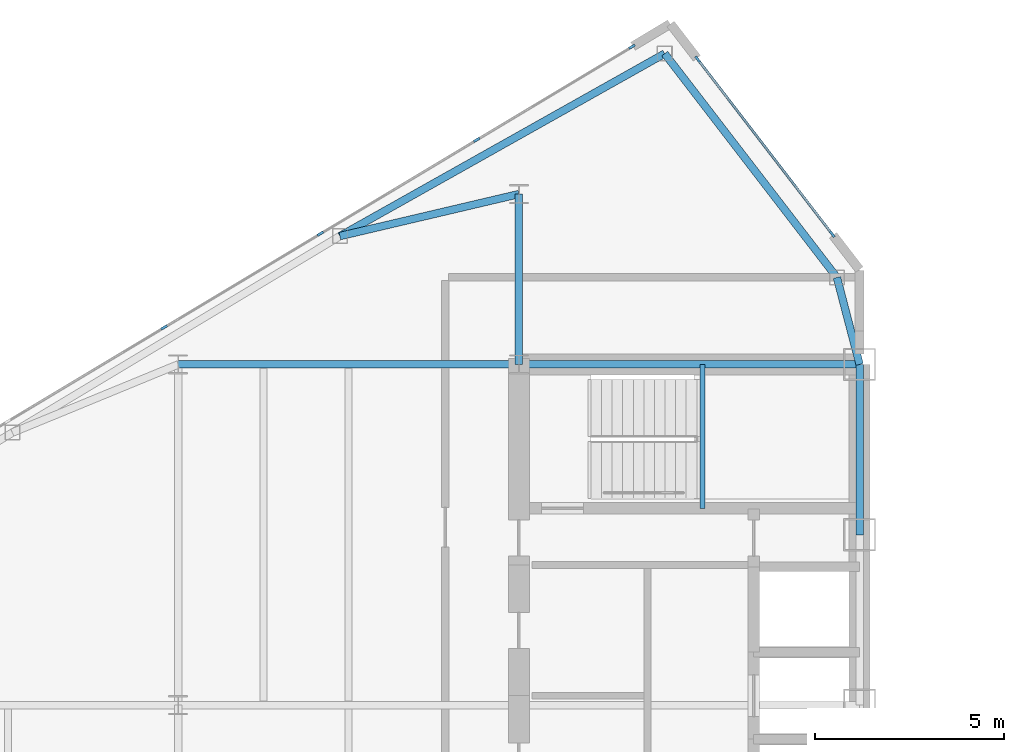
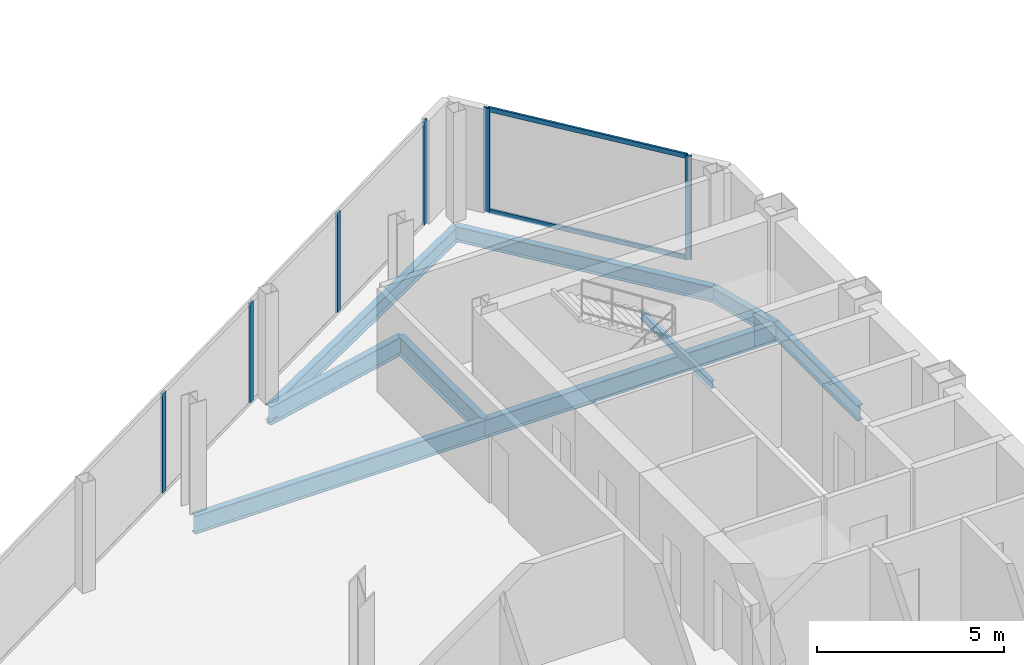
# One storey, part 10 of 25: 9 beams, 8 members, 2 elements without a shape of their own.
"""IFC4 building model written with IfcOpenShell, lengths in metres."""

from ifc_helpers import new_model, si_unit, direction, frame, origin, origin_2d, place, context, subcontext, project, spatial, rectangle, i_section, extrude, source, transform, mapped, material, layer, layer_set, material_profile, profile_set, type_object, type_shapes, element, aggregate, save


model = new_model("IFC4")

# Units and contexts
model_context = context("Model", 3, precision=1e-05, world=origin(), true_north=direction((0.0, 1.0)))
body_context = subcontext(model_context, "Body", "Model", "MODEL_VIEW")
ifc_project = project(units=[si_unit("LENGTHUNIT", "METRE"), si_unit("AREAUNIT", "SQUARE_METRE"), si_unit("VOLUMEUNIT", "CUBIC_METRE"), si_unit("PLANEANGLEUNIT", "RADIAN"), si_unit("MASSUNIT", "GRAM", prefix="KILO")], contexts=[model_context])

# Site, building, storey
site_placement = place(None, origin())
site = spatial("IfcSite", under=ifc_project, at=site_placement, CompositionType="ELEMENT")
building_placement = place(site_placement, origin())
building = spatial("IfcBuilding", under=site, at=building_placement, Name="Seokmaru Belvedere", CompositionType="ELEMENT")
storey_placement = place(building_placement, frame((0.0, 0.0, 206.699951171875)))
storey = spatial("IfcBuildingStorey", under=building, at=storey_placement, Name="L55", CompositionType="ELEMENT", Elevation=206.699951171875)

# Beams
ifc_material_1 = material(Name="Steel SM355 (355 MPa)", Category="steel")
ifc_material_profile_1 = material_profile(ifc_material_1, i_section(OverallWidth=0.199951171875, OverallDepth=0.5, WebThickness=0.010009765625, FlangeThickness=0.01611328125, at=origin_2d()), Name="H-500x200x10x16")
ifc_profile_set_1 = profile_set([ifc_material_profile_1], Name="Steel SM355 (355 MPa)")
beam_type_1 = type_object("IfcBeamType", Name="Perimeter Spandrel Beam H-500", PredefinedType="SPANDREL", material=ifc_profile_set_1)
shared_shape_1 = source(origin(), body_context, "Body", "SweptSolid", [
    extrude(i_section(OverallWidth=0.199951171875, OverallDepth=0.5, WebThickness=0.010009765625, FlangeThickness=0.01611328125, at=origin_2d()), origin(), (0.0, 0.0, 1.0), 4.5),
])
beam_1_placement = place(storey_placement, frame((-27.5, 9.0, -0.469970703125), z_axis=(0.0, 1.0, 0.0), x_axis=(-1.0, 0.0, 0.0)))
element("IfcBeam", 1, at=beam_1_placement, inside=storey, type_object=beam_type_1, Name="L55 W Portal Spine Spandrel 5", PredefinedType="SPANDREL", context=body_context, shape_type="MappedRepresentation", body=[
    mapped(shared_shape_1, transform((0.0, 0.0, 0.0), scale=1.0)),
])
ifc_material_profile_2 = material_profile(ifc_material_1, i_section(OverallWidth=0.199951171875, OverallDepth=0.60009765625, WebThickness=0.010986328125, FlangeThickness=0.01708984375, at=origin_2d()), Name="H-600x200x11x17")
ifc_profile_set_2 = profile_set([ifc_material_profile_2], Name="Steel SM355 (355 MPa)")
beam_type_2 = type_object("IfcBeamType", Name="Primary Floor Girder H-600", PredefinedType="BEAM", material=ifc_profile_set_2)
shared_shape_2 = source(origin(), body_context, "Body", "SweptSolid", [
    extrude(i_section(OverallWidth=0.199951171875, OverallDepth=0.60009765625, WebThickness=0.010986328125, FlangeThickness=0.01708984375, at=origin_2d()), origin(), (0.0, 0.0, 1.0), 9.0),
])
for number, where, z_axis, x_axis, name in (
    (2, (-36.5, 13.5, -0.52001953125), (1.0, 0.0, 0.0), (0.0, 1.0, 0.0), "L55 W Core Tie Girder 4"),
    (3, (-45.5, 13.5, -0.52001953125), (1.0, 0.0, 0.0), (0.0, 1.0, 0.0), "L55 W Wing Primary Girder 4"),
):
    element("IfcBeam", number, at=place(storey_placement, frame(where, z_axis=z_axis, x_axis=x_axis)), inside=storey, type_object=beam_type_2, Name=name, PredefinedType="BEAM", context=body_context, shape_type="MappedRepresentation", body=[
        mapped(shared_shape_2, transform((0.0, 0.0, 0.0), scale=1.0)),
    ])
shared_shape_3 = source(origin(), body_context, "Body", "SweptSolid", [
    extrude(i_section(OverallWidth=0.199951171875, OverallDepth=0.60009765625, WebThickness=0.010986328125, FlangeThickness=0.01708984375, at=origin_2d()), origin(), (0.0, 0.0, 1.0), 4.5),
])
beam_2_placement = place(storey_placement, frame((-36.5, 13.5, -0.52001953125), z_axis=(0.0, 1.0, 0.0), x_axis=(-1.0, 0.0, 0.0)))
element("IfcBeam", 4, at=beam_2_placement, inside=storey, type_object=beam_type_2, Name="L55 W Core Shoulder Girder N", PredefinedType="BEAM", context=body_context, shape_type="MappedRepresentation", body=[
    mapped(shared_shape_3, transform((0.0, 0.0, 0.0), scale=1.0)),
])
shared_shape_4 = source(origin(), body_context, "Body", "SweptSolid", [
    extrude(i_section(OverallWidth=0.199951171875, OverallDepth=0.5, WebThickness=0.010009765625, FlangeThickness=0.01611328125, at=origin_2d()), origin(), (0.0, 0.0, 1.0), 9.842041015625),
])
beam_3_placement = place(storey_placement, frame((-32.649658203125, 21.71044921875, -0.469970703125), z_axis=(-0.871782151818, -0.489893743349, 0.0), x_axis=(0.489893743349, -0.871782151818, 0.0)))
element("IfcBeam", 5, at=beam_3_placement, inside=storey, type_object=beam_type_1, Name="L55 W Faceted Flank Spandrel N-1", PredefinedType="SPANDREL", context=body_context, shape_type="MappedRepresentation", body=[
    mapped(shared_shape_4, transform((0.0, 0.0, 0.0), scale=1.0)),
])
shared_shape_5 = source(origin(), body_context, "Body", "SweptSolid", [
    extrude(i_section(OverallWidth=0.199951171875, OverallDepth=0.5, WebThickness=0.010009765625, FlangeThickness=0.01611328125, at=origin_2d()), origin(), (0.0, 0.0, 1.0), 7.4619140625),
])
beam_4_placement = place(storey_placement, frame((-32.649658203125, 21.71044921875, -0.469970703125), z_axis=(0.609702854945, -0.792630070507, 0.0), x_axis=(0.792630070507, 0.609702854945, 0.0)))
element("IfcBeam", 6, at=beam_4_placement, inside=storey, type_object=beam_type_1, Name="L55 W Shoulder Chamfer Spandrel N", PredefinedType="SPANDREL", context=body_context, shape_type="MappedRepresentation", body=[
    mapped(shared_shape_5, transform((0.0, 0.0, 0.0), scale=1.0)),
])
shared_shape_6 = source(origin(), body_context, "Body", "SweptSolid", [
    extrude(i_section(OverallWidth=0.199951171875, OverallDepth=0.5, WebThickness=0.010009765625, FlangeThickness=0.01611328125, at=origin_2d()), origin(), (0.0, 0.0, 1.0), 2.373046875),
])
type_shapes(beam_type_1, [shared_shape_1, shared_shape_4, shared_shape_5, shared_shape_6])
beam_5_placement = place(storey_placement, frame((-28.10009765625, 15.7958984375, -0.469970703125), z_axis=(0.252882558842, -0.967496982648, 0.0), x_axis=(0.967496982648, 0.252882558842, 0.0)))
element("IfcBeam", 7, at=beam_5_placement, inside=storey, type_object=beam_type_1, Name="L55 W Shoulder Spine Spandrel N", PredefinedType="SPANDREL", context=body_context, shape_type="MappedRepresentation", body=[
    mapped(shared_shape_6, transform((0.0, 0.0, 0.0), scale=1.0)),
])
shared_shape_7 = source(origin(), body_context, "Body", "SweptSolid", [
    extrude(i_section(OverallWidth=0.199951171875, OverallDepth=0.60009765625, WebThickness=0.010986328125, FlangeThickness=0.01708984375, at=origin_2d()), origin(), (0.0, 0.0, 1.0), 4.8583984375),
])
type_shapes(beam_type_2, [shared_shape_2, shared_shape_3, shared_shape_7])
beam_6_placement = place(storey_placement, frame((-41.229736328125, 16.888916015625, -0.52001953125), z_axis=(0.97349948295, 0.228689214211, 0.0), x_axis=(-0.228689214211, 0.97349948295, 0.0)))
element("IfcBeam", 8, at=beam_6_placement, inside=storey, type_object=beam_type_2, Name="L55 W Flank Radial Floor Girder N-1", PredefinedType="BEAM", context=body_context, shape_type="MappedRepresentation", body=[
    mapped(shared_shape_7, transform((0.0, 0.0, 0.0), scale=1.0)),
])

# Curtain wall, members
ifc_material_2 = material(Name="Bronze Triple Insulating Glass", Category="glass")
ifc_layer = layer(ifc_material_2, 0.179931640625)
ifc_layer_set = layer_set([ifc_layer], Name="Bronze Triple Insulating Glass")
curtain_wall_type = type_object("IfcCurtainWallType", Name="High-Rise Wind-Corner Curtain Wall System CW-5", PredefinedType="NOTDEFINED", material=ifc_layer_set)
curtain_wall_1_placement = place(storey_placement, origin())
curtain_wall_1 = element("IfcCurtainWall", 9, at=curtain_wall_1_placement, inside=storey, type_object=curtain_wall_type, Name="L55 Curtain Wall WF3", PredefinedType="NOTDEFINED")
ifc_material_3 = material(Name="Anodised Bronze Aluminium", Category="aluminium")
ifc_material_profile_3 = material_profile(ifc_material_3, rectangle(XDim=0.06494140625, YDim=0.179931640625, at=origin_2d()), Name="CW-M-65x180")
ifc_profile_set_3 = profile_set([ifc_material_profile_3], Name="Anodised Bronze Aluminium")
member_type_1 = type_object("IfcMemberType", Name="Bronze Unitised Mullion 65x180", PredefinedType="MULLION", material=ifc_profile_set_3)
shared_shape_8 = source(origin(), body_context, "Body", "SweptSolid", [
    extrude(rectangle(XDim=0.06494140625, YDim=0.179931640625, at=origin_2d()), origin(), (0.0, 0.0, 1.0), 3.25),
])
member_1_placement = place(storey_placement, frame((-37.614501953125, 19.43115234375, 0.06494140625), z_axis=(0.0, 0.0, 1.0), x_axis=(0.514494909364, -0.85749343335, 0.0)))
member_1 = element("IfcMember", 10, at=member_1_placement, type_object=member_type_1, Name="CW:L55:WF3 Mullion 2", PredefinedType="MULLION", context=body_context, shape_type="MappedRepresentation", body=[
    mapped(shared_shape_8, transform((0.0, 0.0, 0.0), scale=1.0)),
])
member_2_placement = place(storey_placement, frame((-41.7431640625, 16.9541015625, 0.06494140625), z_axis=(0.0, 0.0, 1.0), x_axis=(0.514494909364, -0.85749343335, 0.0)))
member_2 = element("IfcMember", 11, at=member_2_placement, type_object=member_type_1, Name="CW:L55:WF3 Mullion 3", PredefinedType="MULLION", context=body_context, shape_type="MappedRepresentation", body=[
    mapped(shared_shape_8, transform((0.0, 0.0, 0.0), scale=1.0)),
])
member_3_placement = place(storey_placement, frame((-45.87158203125, 14.47705078125, 0.06494140625), z_axis=(0.0, 0.0, 1.0), x_axis=(0.514494909364, -0.85749343335, 0.0)))
member_3 = element("IfcMember", 12, at=member_3_placement, type_object=member_type_1, Name="CW:L55:WF3 Mullion 4", PredefinedType="MULLION", context=body_context, shape_type="MappedRepresentation", body=[
    mapped(shared_shape_8, transform((0.0, 0.0, 0.0), scale=1.0)),
])

curtain_wall_2_placement = place(storey_placement, origin())
curtain_wall_2 = element("IfcCurtainWall", 13, at=curtain_wall_2_placement, inside=storey, type_object=curtain_wall_type, Name="L55 Curtain Wall WF2", PredefinedType="NOTDEFINED")
shared_shape_9 = source(origin(), body_context, "Body", "SweptSolid", [
    extrude(rectangle(XDim=0.06494140625, YDim=0.179931640625, at=origin_2d()), origin(), (0.0, 0.0, 1.0), 3.380126953125),
])
type_shapes(member_type_1, [shared_shape_8, shared_shape_9])
member_4_placement = place(storey_placement, frame((-28.220947265625, 16.937255859375, 0.0), z_axis=(0.0, 0.0, 1.0), x_axis=(-0.792631353244, -0.609701187349, 0.0)))
member_4 = element("IfcMember", 14, at=member_4_placement, type_object=member_type_1, Name="CW:L55:WF2 Mullion 1", PredefinedType="MULLION", context=body_context, shape_type="MappedRepresentation", body=[
    mapped(shared_shape_9, transform((0.0, 0.0, 0.0), scale=1.0)),
])
member_5_placement = place(storey_placement, frame((-31.779052734375, 21.562744140625, 0.0), z_axis=(0.0, 0.0, 1.0), x_axis=(-0.792631353244, -0.609701187349, 0.0)))
member_5 = element("IfcMember", 15, at=member_5_placement, type_object=member_type_1, Name="CW:L55:WF2 Mullion 2", PredefinedType="MULLION", context=body_context, shape_type="MappedRepresentation", body=[
    mapped(shared_shape_9, transform((0.0, 0.0, 0.0), scale=1.0)),
])

# Member
member_6_placement = place(storey_placement, frame((-33.513916015625, 21.8916015625, 0.0), z_axis=(0.0, 0.0, 1.0), x_axis=(0.514494909364, -0.85749343335, 0.0)))
member_6 = element("IfcMember", 16, at=member_6_placement, type_object=member_type_1, Name="CW:L55:WF3 Mullion 1", PredefinedType="MULLION", context=body_context, shape_type="MappedRepresentation", body=[
    mapped(shared_shape_9, transform((0.0, 0.0, 0.0), scale=1.0)),
])

aggregate(curtain_wall_1, [member_6, member_1, member_2, member_3])

ifc_material_profile_4 = material_profile(ifc_material_3, rectangle(XDim=0.06494140625, YDim=0.14990234375, at=origin_2d()), Name="CW-T-65x150")
ifc_profile_set_4 = profile_set([ifc_material_profile_4], Name="Anodised Bronze Aluminium")
member_type_2 = type_object("IfcMemberType", Name="Bronze Unitised Transom 65x150", PredefinedType="USERDEFINED", material=ifc_profile_set_4)
shared_shape_10 = source(origin(), body_context, "Body", "SweptSolid", [
    extrude(rectangle(XDim=0.06494140625, YDim=0.14990234375, at=origin_2d()), origin(), (0.0, 0.0, 1.0), 5.77099609375),
])
type_shapes(member_type_2, [shared_shape_10])
member_7_placement = place(storey_placement, frame((-28.24072265625, 16.962890625, 0.032470703125), z_axis=(-0.60970258286, 0.792630279799, 0.0), x_axis=(-0.792630279799, -0.60970258286, 0.0)))
member_7 = element("IfcMember", 17, at=member_7_placement, type_object=member_type_2, Name="CW:L55:WF2 Continuous Transom 1", ObjectType="TRANSOM", PredefinedType="USERDEFINED", context=body_context, shape_type="MappedRepresentation", body=[
    mapped(shared_shape_10, transform((0.0, 0.0, 0.0), scale=1.0)),
])

member_8_placement = place(storey_placement, frame((-28.24072265625, 16.962890625, 3.34765625), z_axis=(-0.60970258286, 0.792630279799, 0.0), x_axis=(-0.792630279799, -0.60970258286, 0.0)))
member_8 = element("IfcMember", 18, at=member_8_placement, type_object=member_type_2, Name="CW:L55:WF2 Continuous Transom 2", ObjectType="TRANSOM", PredefinedType="USERDEFINED", context=body_context, shape_type="MappedRepresentation", body=[
    mapped(shared_shape_10, transform((0.0, 0.0, 0.0), scale=1.0)),
])

aggregate(curtain_wall_2, [member_4, member_5, member_7, member_8])

# Beam
ifc_material_profile_5 = material_profile(ifc_material_1, i_section(OverallWidth=0.125, OverallDepth=0.25, WebThickness=0.006103515625, FlangeThickness=0.009033203125, at=origin_2d()), Name="H-250x125x6x9")
ifc_profile_set_5 = profile_set([ifc_material_profile_5], Name="Steel SM355 (355 MPa)")
beam_type_3 = type_object("IfcBeamType", Name="Stair Mid-Landing Support Beam H-250", PredefinedType="JOIST", material=ifc_profile_set_5)
shared_shape_11 = source(origin(), body_context, "Body", "SweptSolid", [
    extrude(i_section(OverallWidth=0.125, OverallDepth=0.25, WebThickness=0.006103515625, FlangeThickness=0.009033203125, at=origin_2d()), origin(), (0.0, 0.0, 1.0), 3.800048828125),
])
type_shapes(beam_type_3, [shared_shape_11])
beam_7_placement = place(storey_placement, frame((-31.64990234375, 9.699951171875, 1.47509765625), z_axis=(0.0, 1.0, 0.0), x_axis=(-1.0, 0.0, 0.0)))
element("IfcBeam", 19, at=beam_7_placement, inside=storey, type_object=beam_type_3, Name="L55 Stair ST-W2 Mid-Landing Support Beam 1", PredefinedType="JOIST", context=body_context, shape_type="MappedRepresentation", body=[
    mapped(shared_shape_11, transform((0.0, 0.0, 0.0), scale=1.0)),
])

save(model, "model.ifc")
